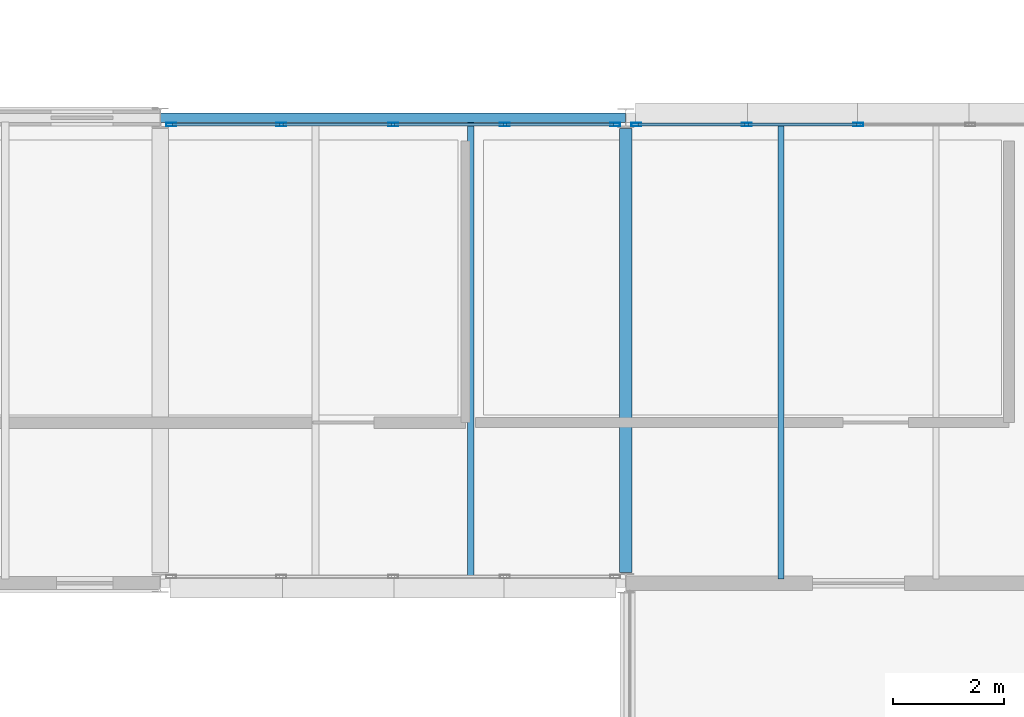
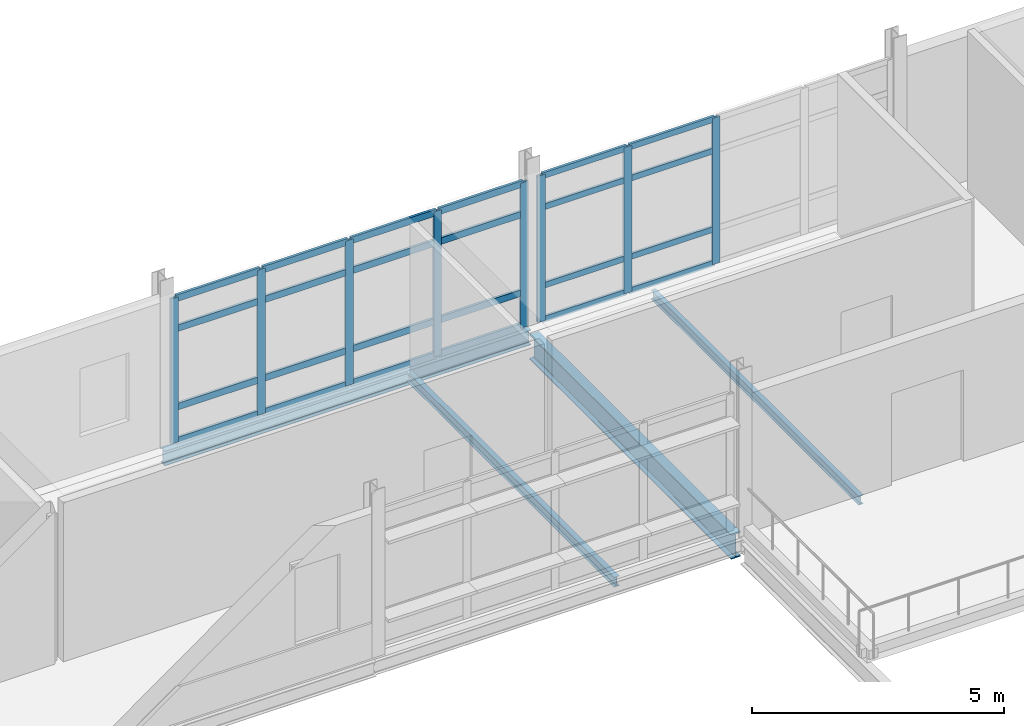
# One storey, part 28 of 57: 32 members, 4 beams, 2 elements without a shape of their own.
"""IFC4 building model written with IfcOpenShell, lengths in metres."""

from ifc_helpers import new_model, si_unit, direction, frame, origin, origin_2d, place, context, subcontext, project, spatial, hollow_rectangle, i_section, extrude, material, material_profile, profile_set, type_object, element, aggregate, save


model = new_model("IFC4")

# Units and contexts
model_context = context("Model", 3, precision=1e-05, world=origin(), true_north=direction((0.0, 1.0)))
body_context = subcontext(model_context, "Body", "Model", "MODEL_VIEW")
ifc_project = project(units=[si_unit("LENGTHUNIT", "METRE"), si_unit("AREAUNIT", "SQUARE_METRE"), si_unit("VOLUMEUNIT", "CUBIC_METRE"), si_unit("PLANEANGLEUNIT", "RADIAN"), si_unit("MASSUNIT", "GRAM", prefix="KILO")], contexts=[model_context])

# Site, building, storey
site_placement = place(None, origin())
site = spatial("IfcSite", under=ifc_project, at=site_placement, CompositionType="ELEMENT")
building_placement = place(site_placement, origin())
building = spatial("IfcBuilding", under=site, at=building_placement, Name="Mersafa Astral City Hall", CompositionType="ELEMENT")
storey_placement = place(building_placement, frame((0.0, 0.0, 26.10009765625)))
storey = spatial("IfcBuildingStorey", under=building, at=storey_placement, Name="L06", CompositionType="ELEMENT", Elevation=26.10009765625)

# Curtain wall, members
ifc_material_1 = material(Name="Anodised bronze aluminium framing", Category="aluminium")
curtain_wall_type_1 = type_object("IfcCurtainWallType", Name="ENV-CW-6", PredefinedType="USERDEFINED", material=ifc_material_1)
curtain_wall_1_placement = place(storey_placement, origin())
curtain_wall_1 = element("IfcCurtainWall", 1, at=curtain_wall_1_placement, inside=storey, type_object=curtain_wall_type_1, Name="L06 Unitised solar curtain wall 257", ObjectType="UNITISED CURTAIN WALL", PredefinedType="USERDEFINED")
ifc_material_profile_1 = material_profile(ifc_material_1, hollow_rectangle(XDim=0.06005859375, YDim=0.179931640625, WallThickness=0.00390625, at=origin_2d()), Name="RHS 60x180x4")
ifc_profile_set_1 = profile_set([ifc_material_profile_1], Name="Anodised bronze aluminium framing")
member_type_1 = type_object("IfcMemberType", Name="ENV-CW-MUL-1", PredefinedType="MULLION", material=ifc_profile_set_1)
member_1_placement = place(storey_placement, frame((121.800048828125, 125.8798828125, -0.002197265625), z_axis=(0.0, 0.0, 1.0), x_axis=(0.0, -1.0, 0.0)))
member_1 = element("IfcMember", 2, at=member_1_placement, type_object=member_type_1, Name="CW-6 mullion 3", PredefinedType="MULLION", context=body_context, shape_type="SweptSolid", body=[
    extrude(hollow_rectangle(XDim=0.06005859375, YDim=0.179931640625, WallThickness=0.00390625, at=origin_2d()), origin(), (0.0, 0.0, 1.0), 3.544189453125),
])
member_2_placement = place(storey_placement, frame((119.781005859375, 125.8798828125, -0.002197265625), z_axis=(0.0, 0.0, 1.0), x_axis=(0.0, -1.0, 0.0)))
member_2 = element("IfcMember", 3, at=member_2_placement, type_object=member_type_1, Name="CW-6 mullion 4", PredefinedType="MULLION", context=body_context, shape_type="SweptSolid", body=[
    extrude(hollow_rectangle(XDim=0.06005859375, YDim=0.179931640625, WallThickness=0.00390625, at=origin_2d()), origin(), (0.0, 0.0, 1.0), 3.544189453125),
])
member_3_placement = place(storey_placement, frame((117.7919921875, 125.8798828125, -0.002197265625), z_axis=(0.0, 0.0, 1.0), x_axis=(0.0, -1.0, 0.0)))
member_3 = element("IfcMember", 4, at=member_3_placement, type_object=member_type_1, Name="CW-6 mullion 5", PredefinedType="MULLION", context=body_context, shape_type="SweptSolid", body=[
    extrude(hollow_rectangle(XDim=0.06005859375, YDim=0.179931640625, WallThickness=0.00390625, at=origin_2d()), origin(), (0.0, 0.0, 1.0), 3.544189453125),
])

curtain_wall_type_2 = type_object("IfcCurtainWallType", Name="ENV-CW-1", PredefinedType="USERDEFINED", material=ifc_material_1)
curtain_wall_2_placement = place(storey_placement, origin())
curtain_wall_2 = element("IfcCurtainWall", 5, at=curtain_wall_2_placement, inside=storey, type_object=curtain_wall_type_2, Name="L06 Unitised solar curtain wall 258", ObjectType="UNITISED CURTAIN WALL", PredefinedType="USERDEFINED")
member_4_placement = place(storey_placement, frame((117.407958984375, 125.8798828125, -0.002197265625), z_axis=(0.0, 0.0, 1.0), x_axis=(0.0, -1.0, 0.0)))
member_4 = element("IfcMember", 6, at=member_4_placement, type_object=member_type_1, Name="CW-1 mullion 1", PredefinedType="MULLION", context=body_context, shape_type="SweptSolid", body=[
    extrude(hollow_rectangle(XDim=0.06005859375, YDim=0.179931640625, WallThickness=0.00390625, at=origin_2d()), origin(), (0.0, 0.0, 1.0), 3.51416015625),
])
member_5_placement = place(storey_placement, frame((115.4189453125, 125.8798828125, -0.002197265625), z_axis=(0.0, 0.0, 1.0), x_axis=(0.0, -1.0, 0.0)))
member_5 = element("IfcMember", 7, at=member_5_placement, type_object=member_type_1, Name="CW-1 mullion 2", PredefinedType="MULLION", context=body_context, shape_type="SweptSolid", body=[
    extrude(hollow_rectangle(XDim=0.06005859375, YDim=0.179931640625, WallThickness=0.00390625, at=origin_2d()), origin(), (0.0, 0.0, 1.0), 3.51416015625),
])
member_6_placement = place(storey_placement, frame((113.39990234375, 125.8798828125, -0.002197265625), z_axis=(0.0, 0.0, 1.0), x_axis=(0.0, -1.0, 0.0)))
member_6 = element("IfcMember", 8, at=member_6_placement, type_object=member_type_1, Name="CW-1 mullion 3", PredefinedType="MULLION", context=body_context, shape_type="SweptSolid", body=[
    extrude(hollow_rectangle(XDim=0.06005859375, YDim=0.179931640625, WallThickness=0.00390625, at=origin_2d()), origin(), (0.0, 0.0, 1.0), 3.51416015625),
])
member_7_placement = place(storey_placement, frame((111.381103515625, 125.8798828125, -0.002197265625), z_axis=(0.0, 0.0, 1.0), x_axis=(0.0, -1.0, 0.0)))
member_7 = element("IfcMember", 9, at=member_7_placement, type_object=member_type_1, Name="CW-1 mullion 4", PredefinedType="MULLION", context=body_context, shape_type="SweptSolid", body=[
    extrude(hollow_rectangle(XDim=0.06005859375, YDim=0.179931640625, WallThickness=0.00390625, at=origin_2d()), origin(), (0.0, 0.0, 1.0), 3.51416015625),
])
member_8_placement = place(storey_placement, frame((109.39208984375, 125.8798828125, -0.002197265625), z_axis=(0.0, 0.0, 1.0), x_axis=(0.0, -1.0, 0.0)))
member_8 = element("IfcMember", 10, at=member_8_placement, type_object=member_type_1, Name="CW-1 mullion 5", PredefinedType="MULLION", context=body_context, shape_type="SweptSolid", body=[
    extrude(hollow_rectangle(XDim=0.06005859375, YDim=0.179931640625, WallThickness=0.00390625, at=origin_2d()), origin(), (0.0, 0.0, 1.0), 3.51416015625),
])

# Member
ifc_material_profile_2 = material_profile(ifc_material_1, hollow_rectangle(XDim=0.06005859375, YDim=0.139892578125, WallThickness=0.00390625, at=origin_2d()), Name="RHS 60x140x4")
ifc_profile_set_2 = profile_set([ifc_material_profile_2], Name="Anodised bronze aluminium framing")
member_type_2 = type_object("IfcMemberType", Name="ENV-CW-TRN-1", PredefinedType="USERDEFINED", material=ifc_profile_set_2)
member_9_placement = place(storey_placement, frame((121.77001953125, 125.8798828125, 0.02783203125), z_axis=(-1.0, 0.0, 0.0), x_axis=(0.0, -1.0, 0.0)))
member_9 = element("IfcMember", 11, at=member_9_placement, type_object=member_type_2, Name="CW-6 transom 3.1", ObjectType="TRANSOM", PredefinedType="USERDEFINED", context=body_context, shape_type="SweptSolid", body=[
    extrude(hollow_rectangle(XDim=0.06005859375, YDim=0.139892578125, WallThickness=0.00390625, at=origin_2d()), origin(), (0.0, 0.0, 1.0), 1.958984375),
])

member_10_placement = place(storey_placement, frame((121.77001953125, 125.8798828125, 0.849853515625), z_axis=(-1.0, 0.0, 0.0), x_axis=(0.0, -1.0, 0.0)))
member_10 = element("IfcMember", 12, at=member_10_placement, type_object=member_type_2, Name="CW-6 transom 3.2", ObjectType="TRANSOM", PredefinedType="USERDEFINED", context=body_context, shape_type="SweptSolid", body=[
    extrude(hollow_rectangle(XDim=0.06005859375, YDim=0.139892578125, WallThickness=0.00390625, at=origin_2d()), origin(), (0.0, 0.0, 1.0), 1.958984375),
])

member_11_placement = place(storey_placement, frame((121.77001953125, 125.8798828125, 2.75), z_axis=(-1.0, 0.0, 0.0), x_axis=(0.0, -1.0, 0.0)))
member_11 = element("IfcMember", 13, at=member_11_placement, type_object=member_type_2, Name="CW-6 transom 3.3", ObjectType="TRANSOM", PredefinedType="USERDEFINED", context=body_context, shape_type="SweptSolid", body=[
    extrude(hollow_rectangle(XDim=0.06005859375, YDim=0.139892578125, WallThickness=0.00390625, at=origin_2d()), origin(), (0.0, 0.0, 1.0), 1.958984375),
])

member_12_placement = place(storey_placement, frame((121.77001953125, 125.8798828125, 3.511962890625), z_axis=(-1.0, 0.0, 0.0), x_axis=(0.0, -1.0, 0.0)))
member_12 = element("IfcMember", 14, at=member_12_placement, type_object=member_type_2, Name="CW-6 transom 3.4", ObjectType="TRANSOM", PredefinedType="USERDEFINED", context=body_context, shape_type="SweptSolid", body=[
    extrude(hollow_rectangle(XDim=0.06005859375, YDim=0.139892578125, WallThickness=0.00390625, at=origin_2d()), origin(), (0.0, 0.0, 1.0), 1.958984375),
])

member_13_placement = place(storey_placement, frame((119.7509765625, 125.8798828125, 0.02783203125), z_axis=(-1.0, 0.0, 0.0), x_axis=(0.0, -1.0, 0.0)))
member_13 = element("IfcMember", 15, at=member_13_placement, type_object=member_type_2, Name="CW-6 transom 4.1", ObjectType="TRANSOM", PredefinedType="USERDEFINED", context=body_context, shape_type="SweptSolid", body=[
    extrude(hollow_rectangle(XDim=0.06005859375, YDim=0.139892578125, WallThickness=0.00390625, at=origin_2d()), origin(), (0.0, 0.0, 1.0), 1.928955078125),
])

member_14_placement = place(storey_placement, frame((119.7509765625, 125.8798828125, 0.849853515625), z_axis=(-1.0, 0.0, 0.0), x_axis=(0.0, -1.0, 0.0)))
member_14 = element("IfcMember", 16, at=member_14_placement, type_object=member_type_2, Name="CW-6 transom 4.2", ObjectType="TRANSOM", PredefinedType="USERDEFINED", context=body_context, shape_type="SweptSolid", body=[
    extrude(hollow_rectangle(XDim=0.06005859375, YDim=0.139892578125, WallThickness=0.00390625, at=origin_2d()), origin(), (0.0, 0.0, 1.0), 1.928955078125),
])

member_15_placement = place(storey_placement, frame((119.7509765625, 125.8798828125, 2.75), z_axis=(-1.0, 0.0, 0.0), x_axis=(0.0, -1.0, 0.0)))
member_15 = element("IfcMember", 17, at=member_15_placement, type_object=member_type_2, Name="CW-6 transom 4.3", ObjectType="TRANSOM", PredefinedType="USERDEFINED", context=body_context, shape_type="SweptSolid", body=[
    extrude(hollow_rectangle(XDim=0.06005859375, YDim=0.139892578125, WallThickness=0.00390625, at=origin_2d()), origin(), (0.0, 0.0, 1.0), 1.928955078125),
])

member_16_placement = place(storey_placement, frame((119.7509765625, 125.8798828125, 3.511962890625), z_axis=(-1.0, 0.0, 0.0), x_axis=(0.0, -1.0, 0.0)))
member_16 = element("IfcMember", 18, at=member_16_placement, type_object=member_type_2, Name="CW-6 transom 4.4", ObjectType="TRANSOM", PredefinedType="USERDEFINED", context=body_context, shape_type="SweptSolid", body=[
    extrude(hollow_rectangle(XDim=0.06005859375, YDim=0.139892578125, WallThickness=0.00390625, at=origin_2d()), origin(), (0.0, 0.0, 1.0), 1.928955078125),
])

aggregate(curtain_wall_1, [member_1, member_2, member_3, member_9, member_10, member_11, member_12, member_13, member_14, member_15, member_16])

ifc_material_profile_3 = material_profile(ifc_material_1, hollow_rectangle(XDim=0.06005859375, YDim=0.159912109375, WallThickness=0.00390625, at=origin_2d()), Name="RHS 60x160x4")
ifc_profile_set_3 = profile_set([ifc_material_profile_3], Name="Anodised bronze aluminium framing")
member_type_3 = type_object("IfcMemberType", Name="ENV-CW-TRN-2", PredefinedType="USERDEFINED", material=ifc_profile_set_3)
member_17_placement = place(storey_placement, frame((117.3779296875, 125.8798828125, 0.02783203125), z_axis=(-1.0, 0.0, 0.0), x_axis=(0.0, -1.0, 0.0)))
member_17 = element("IfcMember", 19, at=member_17_placement, type_object=member_type_3, Name="CW-1 transom 1.1", ObjectType="TRANSOM", PredefinedType="USERDEFINED", context=body_context, shape_type="SweptSolid", body=[
    extrude(hollow_rectangle(XDim=0.06005859375, YDim=0.159912109375, WallThickness=0.00390625, at=origin_2d()), origin(), (0.0, 0.0, 1.0), 1.928955078125),
])

member_18_placement = place(storey_placement, frame((117.3779296875, 125.8798828125, 0.849853515625), z_axis=(-1.0, 0.0, 0.0), x_axis=(0.0, -1.0, 0.0)))
member_18 = element("IfcMember", 20, at=member_18_placement, type_object=member_type_3, Name="CW-1 transom 1.2", ObjectType="TRANSOM", PredefinedType="USERDEFINED", context=body_context, shape_type="SweptSolid", body=[
    extrude(hollow_rectangle(XDim=0.06005859375, YDim=0.159912109375, WallThickness=0.00390625, at=origin_2d()), origin(), (0.0, 0.0, 1.0), 1.928955078125),
])

member_19_placement = place(storey_placement, frame((117.3779296875, 125.8798828125, 2.75), z_axis=(-1.0, 0.0, 0.0), x_axis=(0.0, -1.0, 0.0)))
member_19 = element("IfcMember", 21, at=member_19_placement, type_object=member_type_3, Name="CW-1 transom 1.3", ObjectType="TRANSOM", PredefinedType="USERDEFINED", context=body_context, shape_type="SweptSolid", body=[
    extrude(hollow_rectangle(XDim=0.06005859375, YDim=0.159912109375, WallThickness=0.00390625, at=origin_2d()), origin(), (0.0, 0.0, 1.0), 1.928955078125),
])

member_20_placement = place(storey_placement, frame((117.3779296875, 125.8798828125, 3.48193359375), z_axis=(-1.0, 0.0, 0.0), x_axis=(0.0, -1.0, 0.0)))
member_20 = element("IfcMember", 22, at=member_20_placement, type_object=member_type_3, Name="CW-1 transom 1.4", ObjectType="TRANSOM", PredefinedType="USERDEFINED", context=body_context, shape_type="SweptSolid", body=[
    extrude(hollow_rectangle(XDim=0.06005859375, YDim=0.159912109375, WallThickness=0.00390625, at=origin_2d()), origin(), (0.0, 0.0, 1.0), 1.928955078125),
])

member_21_placement = place(storey_placement, frame((115.388916015625, 125.8798828125, 0.02783203125), z_axis=(-1.0, 0.0, 0.0), x_axis=(0.0, -1.0, 0.0)))
member_21 = element("IfcMember", 23, at=member_21_placement, type_object=member_type_3, Name="CW-1 transom 2.1", ObjectType="TRANSOM", PredefinedType="USERDEFINED", context=body_context, shape_type="SweptSolid", body=[
    extrude(hollow_rectangle(XDim=0.06005859375, YDim=0.159912109375, WallThickness=0.00390625, at=origin_2d()), origin(), (0.0, 0.0, 1.0), 1.958984375),
])

member_22_placement = place(storey_placement, frame((115.388916015625, 125.8798828125, 0.849853515625), z_axis=(-1.0, 0.0, 0.0), x_axis=(0.0, -1.0, 0.0)))
member_22 = element("IfcMember", 24, at=member_22_placement, type_object=member_type_3, Name="CW-1 transom 2.2", ObjectType="TRANSOM", PredefinedType="USERDEFINED", context=body_context, shape_type="SweptSolid", body=[
    extrude(hollow_rectangle(XDim=0.06005859375, YDim=0.159912109375, WallThickness=0.00390625, at=origin_2d()), origin(), (0.0, 0.0, 1.0), 1.958984375),
])

member_23_placement = place(storey_placement, frame((115.388916015625, 125.8798828125, 2.75), z_axis=(-1.0, 0.0, 0.0), x_axis=(0.0, -1.0, 0.0)))
member_23 = element("IfcMember", 25, at=member_23_placement, type_object=member_type_3, Name="CW-1 transom 2.3", ObjectType="TRANSOM", PredefinedType="USERDEFINED", context=body_context, shape_type="SweptSolid", body=[
    extrude(hollow_rectangle(XDim=0.06005859375, YDim=0.159912109375, WallThickness=0.00390625, at=origin_2d()), origin(), (0.0, 0.0, 1.0), 1.958984375),
])

member_24_placement = place(storey_placement, frame((115.388916015625, 125.8798828125, 3.48193359375), z_axis=(-1.0, 0.0, 0.0), x_axis=(0.0, -1.0, 0.0)))
member_24 = element("IfcMember", 26, at=member_24_placement, type_object=member_type_3, Name="CW-1 transom 2.4", ObjectType="TRANSOM", PredefinedType="USERDEFINED", context=body_context, shape_type="SweptSolid", body=[
    extrude(hollow_rectangle(XDim=0.06005859375, YDim=0.159912109375, WallThickness=0.00390625, at=origin_2d()), origin(), (0.0, 0.0, 1.0), 1.958984375),
])

member_25_placement = place(storey_placement, frame((113.3701171875, 125.8798828125, 0.02783203125), z_axis=(-1.0, 0.0, 0.0), x_axis=(0.0, -1.0, 0.0)))
member_25 = element("IfcMember", 27, at=member_25_placement, type_object=member_type_3, Name="CW-1 transom 3.1", ObjectType="TRANSOM", PredefinedType="USERDEFINED", context=body_context, shape_type="SweptSolid", body=[
    extrude(hollow_rectangle(XDim=0.06005859375, YDim=0.159912109375, WallThickness=0.00390625, at=origin_2d()), origin(), (0.0, 0.0, 1.0), 1.959228515625),
])

member_26_placement = place(storey_placement, frame((113.3701171875, 125.8798828125, 0.849853515625), z_axis=(-1.0, 0.0, 0.0), x_axis=(0.0, -1.0, 0.0)))
member_26 = element("IfcMember", 28, at=member_26_placement, type_object=member_type_3, Name="CW-1 transom 3.2", ObjectType="TRANSOM", PredefinedType="USERDEFINED", context=body_context, shape_type="SweptSolid", body=[
    extrude(hollow_rectangle(XDim=0.06005859375, YDim=0.159912109375, WallThickness=0.00390625, at=origin_2d()), origin(), (0.0, 0.0, 1.0), 1.959228515625),
])

member_27_placement = place(storey_placement, frame((113.3701171875, 125.8798828125, 2.75), z_axis=(-1.0, 0.0, 0.0), x_axis=(0.0, -1.0, 0.0)))
member_27 = element("IfcMember", 29, at=member_27_placement, type_object=member_type_3, Name="CW-1 transom 3.3", ObjectType="TRANSOM", PredefinedType="USERDEFINED", context=body_context, shape_type="SweptSolid", body=[
    extrude(hollow_rectangle(XDim=0.06005859375, YDim=0.159912109375, WallThickness=0.00390625, at=origin_2d()), origin(), (0.0, 0.0, 1.0), 1.959228515625),
])

member_28_placement = place(storey_placement, frame((113.3701171875, 125.8798828125, 3.48193359375), z_axis=(-1.0, 0.0, 0.0), x_axis=(0.0, -1.0, 0.0)))
member_28 = element("IfcMember", 30, at=member_28_placement, type_object=member_type_3, Name="CW-1 transom 3.4", ObjectType="TRANSOM", PredefinedType="USERDEFINED", context=body_context, shape_type="SweptSolid", body=[
    extrude(hollow_rectangle(XDim=0.06005859375, YDim=0.159912109375, WallThickness=0.00390625, at=origin_2d()), origin(), (0.0, 0.0, 1.0), 1.959228515625),
])

member_29_placement = place(storey_placement, frame((111.35107421875, 125.8798828125, 0.02783203125), z_axis=(-1.0, 0.0, 0.0), x_axis=(0.0, -1.0, 0.0)))
member_29 = element("IfcMember", 31, at=member_29_placement, type_object=member_type_3, Name="CW-1 transom 4.1", ObjectType="TRANSOM", PredefinedType="USERDEFINED", context=body_context, shape_type="SweptSolid", body=[
    extrude(hollow_rectangle(XDim=0.06005859375, YDim=0.159912109375, WallThickness=0.00390625, at=origin_2d()), origin(), (0.0, 0.0, 1.0), 1.928955078125),
])

member_30_placement = place(storey_placement, frame((111.35107421875, 125.8798828125, 0.849853515625), z_axis=(-1.0, 0.0, 0.0), x_axis=(0.0, -1.0, 0.0)))
member_30 = element("IfcMember", 32, at=member_30_placement, type_object=member_type_3, Name="CW-1 transom 4.2", ObjectType="TRANSOM", PredefinedType="USERDEFINED", context=body_context, shape_type="SweptSolid", body=[
    extrude(hollow_rectangle(XDim=0.06005859375, YDim=0.159912109375, WallThickness=0.00390625, at=origin_2d()), origin(), (0.0, 0.0, 1.0), 1.928955078125),
])

member_31_placement = place(storey_placement, frame((111.35107421875, 125.8798828125, 2.75), z_axis=(-1.0, 0.0, 0.0), x_axis=(0.0, -1.0, 0.0)))
member_31 = element("IfcMember", 33, at=member_31_placement, type_object=member_type_3, Name="CW-1 transom 4.3", ObjectType="TRANSOM", PredefinedType="USERDEFINED", context=body_context, shape_type="SweptSolid", body=[
    extrude(hollow_rectangle(XDim=0.06005859375, YDim=0.159912109375, WallThickness=0.00390625, at=origin_2d()), origin(), (0.0, 0.0, 1.0), 1.928955078125),
])

member_32_placement = place(storey_placement, frame((111.35107421875, 125.8798828125, 3.48193359375), z_axis=(-1.0, 0.0, 0.0), x_axis=(0.0, -1.0, 0.0)))
member_32 = element("IfcMember", 34, at=member_32_placement, type_object=member_type_3, Name="CW-1 transom 4.4", ObjectType="TRANSOM", PredefinedType="USERDEFINED", context=body_context, shape_type="SweptSolid", body=[
    extrude(hollow_rectangle(XDim=0.06005859375, YDim=0.159912109375, WallThickness=0.00390625, at=origin_2d()), origin(), (0.0, 0.0, 1.0), 1.928955078125),
])

aggregate(curtain_wall_2, [member_4, member_5, member_6, member_7, member_8, member_17, member_18, member_19, member_20, member_21, member_22, member_23, member_24, member_25, member_26, member_27, member_28, member_29, member_30, member_31, member_32])

# Beams
ifc_material_2 = material(Name="Steel S355", Category="steel")
ifc_material_profile_4 = material_profile(ifc_material_2, i_section(OverallWidth=0.219970703125, OverallDepth=0.60009765625, WebThickness=0.011962890625, FlangeThickness=0.01904296875, FilletRadius=0.02392578125, at=origin_2d()), Name="IPE 600")
ifc_profile_set_4 = profile_set([ifc_material_profile_4], Name="Steel S355")
beam_type_1 = type_object("IfcBeamType", Name="STR-BM-IPE600", PredefinedType="BEAM", material=ifc_profile_set_4)
beam_1_placement = place(storey_placement, frame((117.60009765625, 117.794921875, -0.47509765625), z_axis=(0.0, 1.0, 0.0), x_axis=(-1.0, 0.0, 0.0)))
element("IfcBeam", 35, at=beam_1_placement, inside=storey, type_object=beam_type_1, Name="L06 Primary girder Y 14-14", PredefinedType="BEAM", context=body_context, shape_type="SweptSolid", body=[
    extrude(i_section(OverallWidth=0.219970703125, OverallDepth=0.60009765625, WebThickness=0.011962890625, FlangeThickness=0.01904296875, FilletRadius=0.02392578125, at=origin_2d()), origin(), (0.0, 0.0, 1.0), 8.010009765625),
])
ifc_material_profile_5 = material_profile(ifc_material_2, i_section(OverallWidth=0.110107421875, OverallDepth=0.219970703125, WebThickness=0.005859375, FlangeThickness=0.00927734375, FilletRadius=0.011962890625, at=origin_2d()), Name="IPE 220")
ifc_profile_set_5 = profile_set([ifc_material_profile_5], Name="Steel S355")
beam_type_2 = type_object("IfcBeamType", Name="STR-BM-JOIST-IPE220", PredefinedType="JOIST", material=ifc_profile_set_5)
beam_2_placement = place(storey_placement, frame((120.39990234375, 117.679931640625, -0.28515625), z_axis=(0.0, 1.0, 0.0), x_axis=(-1.0, 0.0, 0.0)))
element("IfcBeam", 36, at=beam_2_placement, inside=storey, type_object=beam_type_2, Name="L06 Composite secondary floor joist 860", PredefinedType="JOIST", context=body_context, shape_type="SweptSolid", body=[
    extrude(i_section(OverallWidth=0.110107421875, OverallDepth=0.219970703125, WebThickness=0.005859375, FlangeThickness=0.00927734375, FilletRadius=0.011962890625, at=origin_2d()), origin(), (0.0, 0.0, 1.0), 8.2451171875),
])
ifc_material_profile_6 = material_profile(ifc_material_2, i_section(OverallWidth=0.1201171875, OverallDepth=0.239990234375, WebThickness=0.006103515625, FlangeThickness=0.009765625, FilletRadius=0.014892578125, at=origin_2d()), Name="IPE 240")
ifc_profile_set_6 = profile_set([ifc_material_profile_6], Name="Steel S355")
beam_type_3 = type_object("IfcBeamType", Name="STR-BM-JOIST-IPE240", PredefinedType="JOIST", material=ifc_profile_set_6)
beam_3_placement = place(storey_placement, frame((114.800048828125, 117.675048828125, -0.295166015625), z_axis=(0.0, 1.0, 0.0), x_axis=(-1.0, 0.0, 0.0)))
element("IfcBeam", 37, at=beam_3_placement, inside=storey, type_object=beam_type_3, Name="L06 Composite secondary floor joist 859", PredefinedType="JOIST", context=body_context, shape_type="SweptSolid", body=[
    extrude(i_section(OverallWidth=0.1201171875, OverallDepth=0.239990234375, WebThickness=0.006103515625, FlangeThickness=0.009765625, FilletRadius=0.014892578125, at=origin_2d()), origin(), (0.0, 0.0, 1.0), 8.244873046875),
])
ifc_material_profile_7 = material_profile(ifc_material_2, i_section(OverallWidth=0.169921875, OverallDepth=0.360107421875, WebThickness=0.008056640625, FlangeThickness=0.0126953125, FilletRadius=0.01806640625, at=origin_2d()), Name="IPE 360")
ifc_profile_set_7 = profile_set([ifc_material_profile_7], Name="Steel S355")
beam_type_4 = type_object("IfcBeamType", Name="STR-BM-SPANDREL-IPE360", PredefinedType="SPANDREL", material=ifc_profile_set_7)
beam_4_placement = place(storey_placement, frame((109.202880859375, 126.0, -0.35498046875), z_axis=(1.0, 0.0, 0.0), x_axis=(0.0, 1.0, 0.0)))
element("IfcBeam", 38, at=beam_4_placement, inside=storey, type_object=beam_type_4, Name="L06 Primary girder X 13-15", PredefinedType="SPANDREL", context=body_context, shape_type="SweptSolid", body=[
    extrude(i_section(OverallWidth=0.169921875, OverallDepth=0.360107421875, WebThickness=0.008056640625, FlangeThickness=0.0126953125, FilletRadius=0.01806640625, at=origin_2d()), origin(), (0.0, 0.0, 1.0), 8.39404296875),
])

save(model, "model.ifc")
